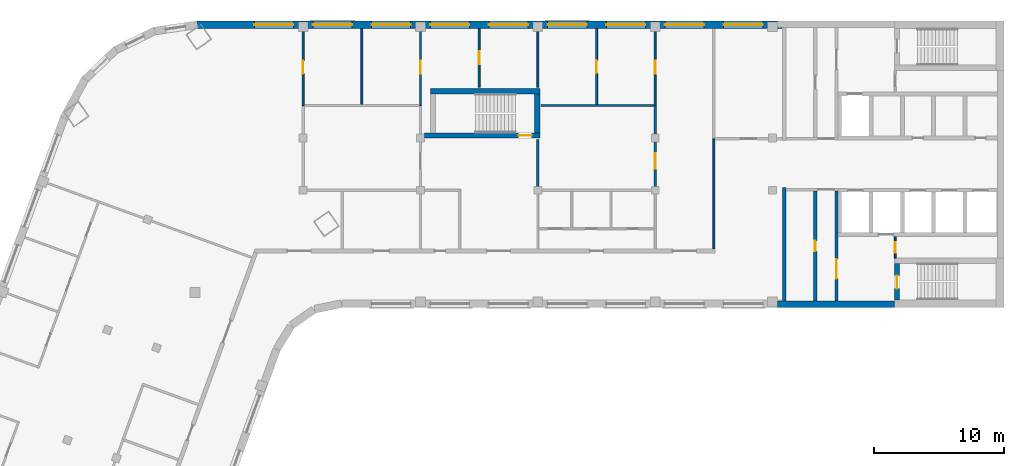
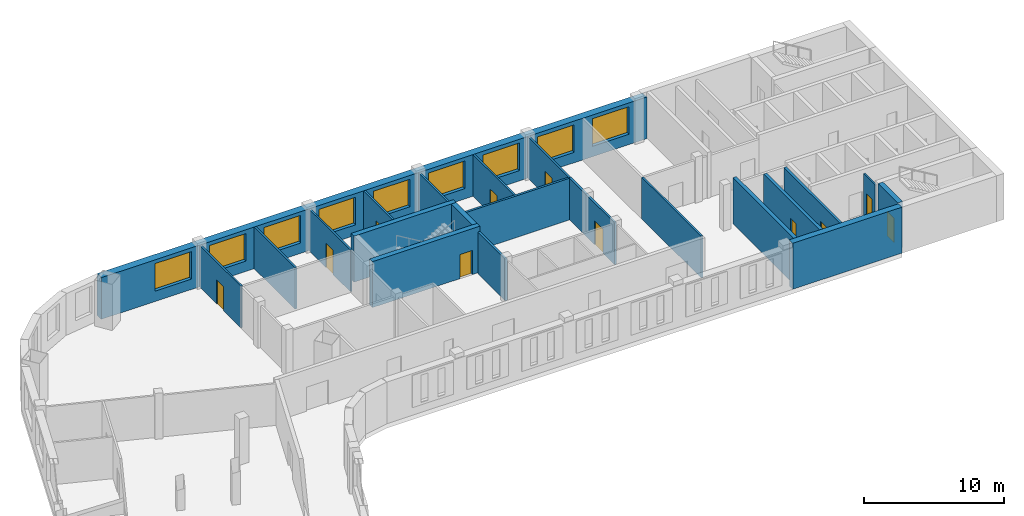
# One storey, part 5 of 8: 21 walls, 11 doors, 9 windows, 20 openings.
"""IFC4 building model written with IfcOpenShell, lengths in metres."""

from ifc_helpers import new_model, si_unit, direction, frame, frame_2d, origin, place, context, subcontext, project, spatial, rectangle, extrude, material, layer, layer_set, type_object, element, fill, save


model = new_model("IFC4")

# Units and contexts
model_context = context("Model", 3, precision=1e-05, world=origin(), true_north=direction((0.0, 1.0)))
body_context = subcontext(model_context, "Body", "Model", "MODEL_VIEW")
ifc_project = project(units=[si_unit("LENGTHUNIT", "METRE"), si_unit("AREAUNIT", "SQUARE_METRE"), si_unit("VOLUMEUNIT", "CUBIC_METRE"), si_unit("PLANEANGLEUNIT", "RADIAN"), si_unit("MASSUNIT", "GRAM", prefix="KILO")], contexts=[model_context])

# Site, building, storey
site_placement = place(None, origin())
site = spatial("IfcSite", under=ifc_project, at=site_placement, CompositionType="ELEMENT")
building_placement = place(site_placement, origin())
building = spatial("IfcBuilding", under=site, at=building_placement, Name="Skarvind Civic Tower", CompositionType="ELEMENT")
storey_placement = place(building_placement, frame((0.0, 0.0, 220.0)))
storey = spatial("IfcBuildingStorey", under=building, at=storey_placement, Name="L52", CompositionType="ELEMENT", Elevation=220.0)

# Wall
ifc_material_1 = material(Name="Acoustic gypsum board on steel studs", Category="steel")
ifc_layer_1 = layer(ifc_material_1, 0.175048828125)
ifc_layer_set_1 = layer_set([ifc_layer_1], Name="ACOUSTIC MEETING-ROOM PARTITION 175")
wall_type_1 = type_object("IfcWallType", Name="ACOUSTIC MEETING-ROOM PARTITION 175", PredefinedType="PARTITIONING", material=ifc_layer_set_1)
wall_1_placement = place(storey_placement, frame((72.25, 129.89990234375, 0.0), z_axis=(0.0, 0.0, 1.0), x_axis=(0.0, -1.0, 0.0)))
element("IfcWall", 1, at=wall_1_placement, inside=storey, type_object=wall_type_1, Name="Partition 52.034", PredefinedType="PARTITIONING", context=body_context, shape_type="SweptSolid", body=[
    extrude(rectangle(XDim=3.89990234375, YDim=0.175048828125, at=frame_2d((1.949951171875, 0.0))), origin(), (0.0, 0.0, 1.0), 3.625),
])

# Wall, opening, door
wall_2_placement = place(storey_placement, frame((81.25, 132.5, 0.0), z_axis=(0.0, 0.0, 1.0), x_axis=(0.0, -1.0, 0.0)))
wall_2 = element("IfcWall", 2, at=wall_2_placement, inside=storey, type_object=wall_type_1, Name="Partition 52.040", PredefinedType="PARTITIONING", context=body_context, shape_type="SweptSolid", body=[
    extrude(rectangle(XDim=6.5, YDim=0.175048828125, at=frame_2d((3.25, 0.0))), origin(), (0.0, 0.0, 1.0), 3.625),
])
opening_1_placement = place(wall_2_placement, frame((3.64990234375, 0.0, 0.0)))
opening_1 = element("IfcOpeningElement", 3, at=opening_1_placement, cuts=wall_2, Name="Opening L52-D025", PredefinedType="OPENING", context=body_context, shape_type="SweptSolid", body=[
    extrude(rectangle(XDim=1.199951171875, YDim=2.10009765625, at=frame_2d((0.60009765625, 1.050048828125))), frame((0.0, 0.097412109375, 0.0), z_axis=(0.0, -1.0, 0.0), x_axis=(1.0, 0.0, 0.0)), (0.0, 0.0, 1.0), 0.195068359375),
])
ifc_material_2 = material(Name="Timber door leaf", Category="wood")
door_type_1 = type_object("IfcDoorType", Name="DOOR 1200X2100 DOUBLE TIMBER", OperationType="NOTDEFINED", PredefinedType="DOOR", material=ifc_material_2)
door_1_placement = place(opening_1_placement, origin())
door_1 = element("IfcDoor", 4, at=door_1_placement, inside=storey, type_object=door_type_1, Name="Door L52-D025", OperationType="DOUBLE_DOOR_SINGLE_SWING", OverallHeight=2.10009765625, OverallWidth=1.199951171875, PredefinedType="DOOR", context=body_context, shape_type="SweptSolid", body=[
    extrude(rectangle(XDim=1.199951171875, YDim=2.10009765625, at=frame_2d((0.60009765625, 1.050048828125))), frame((0.0, 0.02490234375, 0.0), z_axis=(0.0, -1.0, 0.0), x_axis=(1.0, 0.0, 0.0)), (0.0, 0.0, 1.0), 0.050048828125),
])
fill(opening_1, door_1)

# Wall
wall_3_placement = place(storey_placement, frame((81.162109375, 132.5, 0.0), z_axis=(0.0, 0.0, 1.0), x_axis=(-1.0, 0.0, 0.0)))
element("IfcWall", 5, at=wall_3_placement, inside=storey, type_object=wall_type_1, Name="Partition 52.041", PredefinedType="PARTITIONING", context=body_context, shape_type="SweptSolid", body=[
    extrude(rectangle(XDim=8.662109375, YDim=0.175048828125, at=frame_2d((4.3310546875, 0.0))), origin(), (0.0, 0.0, 1.0), 3.625),
])

# Wall, opening, door
ifc_material_3 = material(Name="Fire-rated masonry partition", Category="masonry")
ifc_layer_2 = layer(ifc_material_3, 0.199951171875)
ifc_layer_set_2 = layer_set([ifc_layer_2], Name="Core enclosure wall 200")
wall_type_2 = type_object("IfcWallType", Name="Core enclosure wall 200", PredefinedType="PARTITIONING", material=ifc_layer_set_2)
wall_4_placement = place(storey_placement, frame((95.14990234375, 117.5, 0.0), z_axis=(0.0, 0.0, 1.0), x_axis=(0.0, 1.0, 0.0)))
wall_4 = element("IfcWall", 6, at=wall_4_placement, inside=storey, type_object=wall_type_2, Name="Core wall C1", PredefinedType="PARTITIONING", context=body_context, shape_type="SweptSolid", body=[
    extrude(rectangle(XDim=8.449951171875, YDim=0.199951171875, at=frame_2d((4.22509765625, 0.0))), origin(), (0.0, 0.0, 1.0), 3.625),
])
opening_2_placement = place(wall_4_placement, frame((1.72509765625, 0.0, 0.0)))
opening_2 = element("IfcOpeningElement", 7, at=opening_2_placement, cuts=wall_4, Name="Opening D-L52-C1-08", PredefinedType="OPENING", context=body_context, shape_type="SweptSolid", body=[
    extrude(rectangle(XDim=1.5, YDim=2.10009765625, at=frame_2d((0.75, 1.050048828125))), frame((0.0, 0.10986328125, 0.0), z_axis=(0.0, -1.0, 0.0), x_axis=(1.0, 0.0, 0.0)), (0.0, 0.0, 1.0), 0.219970703125),
])
ifc_material_4 = material(Name="Fire-rated steel door", Category="steel")
door_type_2 = type_object("IfcDoorType", Name="Fire door 1500", OperationType="NOTDEFINED", PredefinedType="DOOR", material=ifc_material_4)
door_2_placement = place(opening_2_placement, origin())
door_2 = element("IfcDoor", 8, at=door_2_placement, inside=storey, type_object=door_type_2, Name="Fire door", OperationType="DOUBLE_DOOR_SINGLE_SWING", OverallHeight=2.10009765625, OverallWidth=1.5, PredefinedType="DOOR", context=body_context, shape_type="SweptSolid", body=[
    extrude(rectangle(XDim=1.5, YDim=2.10009765625, at=frame_2d((0.75, 1.050048828125))), frame((0.0, 0.02490234375, 0.0), z_axis=(0.0, -1.0, 0.0), x_axis=(1.0, 0.0, 0.0)), (0.0, 0.0, 1.0), 0.050048828125),
])
fill(opening_2, door_2)

# Wall
ifc_material_5 = material(Name="Concrete C60", Category="concrete")
ifc_layer_3 = layer(ifc_material_5, 0.300048828125)
ifc_layer_set_3 = layer_set([ifc_layer_3], Name="Core wall 300 C60")
wall_type_3 = type_object("IfcWallType", Name="Core wall 300 C60", PredefinedType="SHEAR", material=ifc_layer_set_3)
wall_5_placement = place(storey_placement, frame((91.14990234375, 126.199951171875, 0.0), z_axis=(0.0, 0.0, 1.0), x_axis=(0.0, -1.0, 0.0)))
element("IfcWall", 9, at=wall_5_placement, inside=storey, type_object=wall_type_3, Name="Core wall C1 north inner face L52", PredefinedType="SHEAR", context=body_context, shape_type="SweptSolid", body=[
    extrude(rectangle(XDim=8.699951171875, YDim=0.300048828125, at=frame_2d((4.35009765625, 0.0))), origin(), (0.0, 0.0, 1.0), 4.0),
])

# Wall, opening, door
ifc_layer_4 = layer(ifc_material_5, 0.39990234375)
ifc_layer_set_4 = layer_set([ifc_layer_4], Name="Core wall 400 C60")
wall_type_4 = type_object("IfcWallType", Name="Core wall 400 C60", PredefinedType="SHEAR", material=ifc_layer_set_4)
wall_6_placement = place(storey_placement, frame((99.800048828125, 120.39990234375, 0.0), z_axis=(0.0, 0.0, 1.0), x_axis=(0.0, -1.0, 0.0)))
wall_6 = element("IfcWall", 10, at=wall_6_placement, inside=storey, type_object=wall_type_4, Name="Core wall C1 north stair end L52", PredefinedType="SHEAR", context=body_context, shape_type="SweptSolid", body=[
    extrude(rectangle(XDim=2.7998046875, YDim=0.39990234375, at=frame_2d((1.39990234375, 0.0))), origin(), (0.0, 0.0, 1.0), 4.0),
])
opening_3_placement = place(wall_6_placement, frame((0.949951171875, 0.0, 0.0)))
opening_3 = element("IfcOpeningElement", 11, at=opening_3_placement, cuts=wall_6, Name="Opening D-L52-C1-09", PredefinedType="OPENING", context=body_context, shape_type="SweptSolid", body=[
    extrude(rectangle(XDim=1.0, YDim=2.10009765625, at=frame_2d((0.5, 1.050048828125))), frame((0.0, 0.2099609375, 0.0), z_axis=(0.0, -1.0, 0.0), x_axis=(1.0, 0.0, 0.0)), (0.0, 0.0, 1.0), 0.419921875),
])
door_type_3 = type_object("IfcDoorType", Name="Fire door 1000", OperationType="NOTDEFINED", PredefinedType="DOOR", material=ifc_material_4)
door_3_placement = place(opening_3_placement, origin())
door_3 = element("IfcDoor", 12, at=door_3_placement, inside=storey, type_object=door_type_3, Name="Fire door", OperationType="SINGLE_SWING_LEFT", OverallHeight=2.10009765625, OverallWidth=1.0, PredefinedType="DOOR", context=body_context, shape_type="SweptSolid", body=[
    extrude(rectangle(XDim=1.0, YDim=2.10009765625, at=frame_2d((0.5, 1.050048828125))), frame((0.0, 0.02490234375, 0.0), z_axis=(0.0, -1.0, 0.0), x_axis=(1.0, 0.0, 0.0)), (0.0, 0.0, 1.0), 0.050048828125),
])
fill(opening_3, door_3)

wall_7_placement = place(storey_placement, frame((63.550048828125, 130.199951171875, 0.0), z_axis=(0.0, 0.0, 1.0), x_axis=(1.0, 0.0, 0.0)))
wall_7 = element("IfcWall", 13, at=wall_7_placement, inside=storey, type_object=wall_type_4, Name="Core wall CM inner L52", PredefinedType="SHEAR", context=body_context, shape_type="SweptSolid", body=[
    extrude(rectangle(XDim=8.849853515625, YDim=0.39990234375, at=frame_2d((4.4248046875, 0.0))), origin(), (0.0, 0.0, 1.0), 4.0),
])
opening_4_placement = place(wall_7_placement, frame((7.22509765625, 0.0, 0.0)))
opening_4 = element("IfcOpeningElement", 14, at=opening_4_placement, cuts=wall_7, Name="Opening D-L52-CM-01", PredefinedType="OPENING", context=body_context, shape_type="SweptSolid", body=[
    extrude(rectangle(XDim=1.0, YDim=2.10009765625, at=frame_2d((0.5, 1.050048828125))), frame((0.0, 0.2099609375, 0.0), z_axis=(0.0, -1.0, 0.0), x_axis=(1.0, 0.0, 0.0)), (0.0, 0.0, 1.0), 0.419921875),
])
door_4_placement = place(opening_4_placement, origin())
door_4 = element("IfcDoor", 15, at=door_4_placement, inside=storey, type_object=door_type_3, Name="Fire door", OperationType="SINGLE_SWING_LEFT", OverallHeight=2.10009765625, OverallWidth=1.0, PredefinedType="DOOR", context=body_context, shape_type="SweptSolid", body=[
    extrude(rectangle(XDim=1.0, YDim=2.10009765625, at=frame_2d((0.5, 1.050048828125))), frame((0.0, 0.02490234375, 0.0), z_axis=(0.0, -1.0, 0.0), x_axis=(1.0, 0.0, 0.0)), (0.0, 0.0, 1.0), 0.050048828125),
])
fill(opening_4, door_4)

# Walls
wall_8_placement = place(storey_placement, frame((64.0, 133.60009765625, 0.0), z_axis=(0.0, 0.0, 1.0), x_axis=(1.0, 0.0, 0.0)))
element("IfcWall", 16, at=wall_8_placement, inside=storey, type_object=wall_type_4, Name="Core wall CM outer L52", PredefinedType="SHEAR", context=body_context, shape_type="SweptSolid", body=[
    extrude(rectangle(XDim=8.39990234375, YDim=0.39990234375, at=frame_2d((4.199951171875, 0.0))), origin(), (0.0, 0.0, 1.0), 4.0),
])
wall_9_placement = place(storey_placement, frame((72.199951171875, 130.39990234375, 0.0), z_axis=(0.0, 0.0, 1.0), x_axis=(0.0, 1.0, 0.0)))
element("IfcWall", 17, at=wall_9_placement, inside=storey, type_object=wall_type_4, Name="Core wall CM end L52", PredefinedType="SHEAR", context=body_context, shape_type="SweptSolid", body=[
    extrude(rectangle(XDim=3.0, YDim=0.39990234375, at=frame_2d((1.5, 0.0))), origin(), (0.0, 0.0, 1.0), 4.0),
])
ifc_layer_5 = layer(ifc_material_5, 0.5)
ifc_layer_set_5 = layer_set([ifc_layer_5], Name="Core wall 500 C60")
wall_type_5 = type_object("IfcWallType", Name="Core wall 500 C60", PredefinedType="SHEAR", material=ifc_layer_set_5)
wall_10_placement = place(storey_placement, frame((99.60009765625, 117.25, 0.0), z_axis=(0.0, 0.0, 1.0), x_axis=(-1.0, 0.0, 0.0)))
element("IfcWall", 18, at=wall_10_placement, inside=storey, type_object=wall_type_5, Name="Core wall C1 north side L52", PredefinedType="SHEAR", context=body_context, shape_type="SweptSolid", body=[
    extrude(rectangle(XDim=8.97509765625, YDim=0.5, at=frame_2d((4.487548828125, 0.0))), origin(), (0.0, 0.0, 1.0), 4.0),
])

# Wall, opening, door
ifc_material_6 = material(Name="Plasterboard partition on steel studs", Category="steel")
ifc_layer_6 = layer(ifc_material_6, 0.14990234375)
ifc_layer_set_6 = layer_set([ifc_layer_6], Name="PARTITION 150")
wall_type_6 = type_object("IfcWallType", Name="PARTITION 150", PredefinedType="PARTITIONING", material=ifc_layer_set_6)
wall_11_placement = place(storey_placement, frame((54.25, 132.4970703125, 0.0), z_axis=(0.0, 0.0, 1.0), x_axis=(0.0, 1.0, 0.0)))
wall_11 = element("IfcWall", 19, at=wall_11_placement, inside=storey, type_object=wall_type_6, Name="Partition 52.021", PredefinedType="PARTITIONING", context=body_context, shape_type="SweptSolid", body=[
    extrude(rectangle(XDim=5.90185546875, YDim=0.14990234375, at=frame_2d((2.950927734375, 0.0))), origin(), (0.0, 0.0, 1.0), 3.625),
])
opening_5_placement = place(wall_11_placement, frame((2.452880859375, 0.0, 0.0)))
opening_5 = element("IfcOpeningElement", 20, at=opening_5_placement, cuts=wall_11, Name="Opening L52-D013", PredefinedType="OPENING", context=body_context, shape_type="SweptSolid", body=[
    extrude(rectangle(XDim=1.0, YDim=2.10009765625, at=frame_2d((0.5, 1.050048828125))), frame((0.0, 0.0849609375, 0.0), z_axis=(0.0, -1.0, 0.0), x_axis=(1.0, 0.0, 0.0)), (0.0, 0.0, 1.0), 0.169921875),
])
door_type_4 = type_object("IfcDoorType", Name="D1 1000x2100", OperationType="NOTDEFINED", PredefinedType="DOOR", material=ifc_material_2)
door_5_placement = place(opening_5_placement, origin())
door_5 = element("IfcDoor", 21, at=door_5_placement, inside=storey, type_object=door_type_4, Name="Door L52-D013", OperationType="SINGLE_SWING_LEFT", OverallHeight=2.10009765625, OverallWidth=1.0, PredefinedType="DOOR", context=body_context, shape_type="SweptSolid", body=[
    extrude(rectangle(XDim=1.0, YDim=2.10009765625, at=frame_2d((0.5, 1.050048828125))), frame((0.0, 0.02490234375, 0.0), z_axis=(0.0, -1.0, 0.0), x_axis=(1.0, 0.0, 0.0)), (0.0, 0.0, 1.0), 0.050048828125),
])
fill(opening_5, door_5)

# Wall
wall_12_placement = place(storey_placement, frame((58.75, 132.587890625, 0.0), z_axis=(0.0, 0.0, 1.0), x_axis=(0.0, 1.0, 0.0)))
element("IfcWall", 22, at=wall_12_placement, inside=storey, type_object=wall_type_6, Name="Partition 52.024", PredefinedType="PARTITIONING", context=body_context, shape_type="SweptSolid", body=[
    extrude(rectangle(XDim=5.81201171875, YDim=0.14990234375, at=frame_2d((2.906005859375, 0.0))), origin(), (0.0, 0.0, 1.0), 3.625),
])

# Wall, opening, door
wall_13_placement = place(storey_placement, frame((63.25, 138.39990234375, 0.0), z_axis=(0.0, 0.0, 1.0), x_axis=(0.0, -1.0, 0.0)))
wall_13 = element("IfcWall", 23, at=wall_13_placement, inside=storey, type_object=wall_type_6, Name="Partition 52.027", PredefinedType="PARTITIONING", context=body_context, shape_type="SweptSolid", body=[
    extrude(rectangle(XDim=5.89990234375, YDim=0.14990234375, at=frame_2d((2.949951171875, 0.0))), origin(), (0.0, 0.0, 1.0), 3.625),
])
opening_6_placement = place(wall_13_placement, frame((2.449951171875, 0.0, 0.0)))
opening_6 = element("IfcOpeningElement", 24, at=opening_6_placement, cuts=wall_13, Name="Opening L52-D012", PredefinedType="OPENING", context=body_context, shape_type="SweptSolid", body=[
    extrude(rectangle(XDim=1.0, YDim=2.10009765625, at=frame_2d((0.5, 1.050048828125))), frame((0.0, 0.0849609375, 0.0), z_axis=(0.0, -1.0, 0.0), x_axis=(1.0, 0.0, 0.0)), (0.0, 0.0, 1.0), 0.169921875),
])
door_6_placement = place(opening_6_placement, origin())
door_6 = element("IfcDoor", 25, at=door_6_placement, inside=storey, type_object=door_type_4, Name="Door L52-D012", OperationType="SINGLE_SWING_LEFT", OverallHeight=2.10009765625, OverallWidth=1.0, PredefinedType="DOOR", context=body_context, shape_type="SweptSolid", body=[
    extrude(rectangle(XDim=1.0, YDim=2.10009765625, at=frame_2d((0.5, 1.050048828125))), frame((0.0, 0.02490234375, 0.0), z_axis=(0.0, -1.0, 0.0), x_axis=(1.0, 0.0, 0.0)), (0.0, 0.0, 1.0), 0.050048828125),
])
fill(opening_6, door_6)

wall_14_placement = place(storey_placement, frame((67.75, 133.89990234375, 0.0), z_axis=(0.0, 0.0, 1.0), x_axis=(0.0, 1.0, 0.0)))
wall_14 = element("IfcWall", 26, at=wall_14_placement, inside=storey, type_object=wall_type_6, Name="Partition 52.030", PredefinedType="PARTITIONING", context=body_context, shape_type="SweptSolid", body=[
    extrude(rectangle(XDim=4.5, YDim=0.14990234375, at=frame_2d((2.25, 0.0))), origin(), (0.0, 0.0, 1.0), 3.625),
])
opening_7_placement = place(wall_14_placement, frame((1.75, 0.0, 0.0)))
opening_7 = element("IfcOpeningElement", 27, at=opening_7_placement, cuts=wall_14, Name="Opening L52-D011", PredefinedType="OPENING", context=body_context, shape_type="SweptSolid", body=[
    extrude(rectangle(XDim=1.0, YDim=2.10009765625, at=frame_2d((0.5, 1.050048828125))), frame((0.0, 0.0849609375, 0.0), z_axis=(0.0, -1.0, 0.0), x_axis=(1.0, 0.0, 0.0)), (0.0, 0.0, 1.0), 0.169921875),
])
door_7_placement = place(opening_7_placement, origin())
door_7 = element("IfcDoor", 28, at=door_7_placement, inside=storey, type_object=door_type_4, Name="Door L52-D011", OperationType="SINGLE_SWING_LEFT", OverallHeight=2.10009765625, OverallWidth=1.0, PredefinedType="DOOR", context=body_context, shape_type="SweptSolid", body=[
    extrude(rectangle(XDim=1.0, YDim=2.10009765625, at=frame_2d((0.5, 1.050048828125))), frame((0.0, 0.02490234375, 0.0), z_axis=(0.0, -1.0, 0.0), x_axis=(1.0, 0.0, 0.0)), (0.0, 0.0, 1.0), 0.050048828125),
])
fill(opening_7, door_7)

# Wall
wall_15_placement = place(storey_placement, frame((72.25, 133.89990234375, 0.0), z_axis=(0.0, 0.0, 1.0), x_axis=(0.0, 1.0, 0.0)))
element("IfcWall", 29, at=wall_15_placement, inside=storey, type_object=wall_type_6, Name="Partition 52.035", PredefinedType="PARTITIONING", context=body_context, shape_type="SweptSolid", body=[
    extrude(rectangle(XDim=4.5, YDim=0.14990234375, at=frame_2d((2.25, 0.0))), origin(), (0.0, 0.0, 1.0), 3.625),
])

# Wall, opening, door
wall_16_placement = place(storey_placement, frame((76.75, 138.39990234375, 0.0), z_axis=(0.0, 0.0, 1.0), x_axis=(0.0, -1.0, 0.0)))
wall_16 = element("IfcWall", 30, at=wall_16_placement, inside=storey, type_object=wall_type_6, Name="Partition 52.037", PredefinedType="PARTITIONING", context=body_context, shape_type="SweptSolid", body=[
    extrude(rectangle(XDim=5.81201171875, YDim=0.14990234375, at=frame_2d((2.906005859375, 0.0))), origin(), (0.0, 0.0, 1.0), 3.625),
])
opening_8_placement = place(wall_16_placement, frame((2.416015625, 0.0, 0.0)))
opening_8 = element("IfcOpeningElement", 31, at=opening_8_placement, cuts=wall_16, Name="Opening L52-D007", PredefinedType="OPENING", context=body_context, shape_type="SweptSolid", body=[
    extrude(rectangle(XDim=1.0, YDim=2.10009765625, at=frame_2d((0.5, 1.050048828125))), frame((0.0, 0.0849609375, 0.0), z_axis=(0.0, -1.0, 0.0), x_axis=(1.0, 0.0, 0.0)), (0.0, 0.0, 1.0), 0.169921875),
])
door_8_placement = place(opening_8_placement, origin())
door_8 = element("IfcDoor", 32, at=door_8_placement, inside=storey, type_object=door_type_4, Name="Door L52-D007", OperationType="SINGLE_SWING_LEFT", OverallHeight=2.10009765625, OverallWidth=1.0, PredefinedType="DOOR", context=body_context, shape_type="SweptSolid", body=[
    extrude(rectangle(XDim=1.0, YDim=2.10009765625, at=frame_2d((0.5, 1.050048828125))), frame((0.0, 0.02490234375, 0.0), z_axis=(0.0, -1.0, 0.0), x_axis=(1.0, 0.0, 0.0)), (0.0, 0.0, 1.0), 0.050048828125),
])
fill(opening_8, door_8)

wall_17_placement = place(storey_placement, frame((81.25, 138.39990234375, 0.0), z_axis=(0.0, 0.0, 1.0), x_axis=(0.0, -1.0, 0.0)))
wall_17 = element("IfcWall", 33, at=wall_17_placement, inside=storey, type_object=wall_type_6, Name="Partition 52.042", PredefinedType="PARTITIONING", context=body_context, shape_type="SweptSolid", body=[
    extrude(rectangle(XDim=5.89990234375, YDim=0.14990234375, at=frame_2d((2.949951171875, 0.0))), origin(), (0.0, 0.0, 1.0), 3.625),
])
opening_9_placement = place(wall_17_placement, frame((2.449951171875, 0.0, 0.0)))
opening_9 = element("IfcOpeningElement", 34, at=opening_9_placement, cuts=wall_17, Name="Opening L52-D006", PredefinedType="OPENING", context=body_context, shape_type="SweptSolid", body=[
    extrude(rectangle(XDim=1.0, YDim=2.10009765625, at=frame_2d((0.5, 1.050048828125))), frame((0.0, 0.0849609375, 0.0), z_axis=(0.0, -1.0, 0.0), x_axis=(1.0, 0.0, 0.0)), (0.0, 0.0, 1.0), 0.169921875),
])
door_9_placement = place(opening_9_placement, origin())
door_9 = element("IfcDoor", 35, at=door_9_placement, inside=storey, type_object=door_type_4, Name="Door L52-D006", OperationType="SINGLE_SWING_LEFT", OverallHeight=2.10009765625, OverallWidth=1.0, PredefinedType="DOOR", context=body_context, shape_type="SweptSolid", body=[
    extrude(rectangle(XDim=1.0, YDim=2.10009765625, at=frame_2d((0.5, 1.050048828125))), frame((0.0, 0.02490234375, 0.0), z_axis=(0.0, -1.0, 0.0), x_axis=(1.0, 0.0, 0.0)), (0.0, 0.0, 1.0), 0.050048828125),
])
fill(opening_9, door_9)

# Wall
wall_18_placement = place(storey_placement, frame((85.75, 121.5, 0.0), z_axis=(0.0, 0.0, 1.0), x_axis=(0.0, 1.0, 0.0)))
element("IfcWall", 36, at=wall_18_placement, inside=storey, type_object=wall_type_6, Name="Partition 52.043", PredefinedType="PARTITIONING", context=body_context, shape_type="SweptSolid", body=[
    extrude(rectangle(XDim=8.449951171875, YDim=0.14990234375, at=frame_2d((4.22509765625, 0.0))), origin(), (0.0, 0.0, 1.0), 3.625),
])

# Wall, opening, door
ifc_layer_7 = layer(ifc_material_3, 0.125)
ifc_layer_set_7 = layer_set([ifc_layer_7], Name="Riser wall 125")
wall_type_7 = type_object("IfcWallType", Name="Riser wall 125", PredefinedType="PARTITIONING", material=ifc_layer_set_7)
wall_19_placement = place(storey_placement, frame((99.66259765625, 120.800048828125, 0.0), z_axis=(0.0, 0.0, 1.0), x_axis=(0.0, 1.0, 0.0)))
wall_19 = element("IfcWall", 37, at=wall_19_placement, inside=storey, type_object=wall_type_7, Name="Core wall C1", PredefinedType="PARTITIONING", context=body_context, shape_type="SweptSolid", body=[
    extrude(rectangle(XDim=1.64990234375, YDim=0.125, at=frame_2d((0.824951171875, 0.0))), origin(), (0.0, 0.0, 1.0), 3.625),
])
opening_10_placement = place(wall_19_placement, frame((0.425048828125, 0.0, 0.0)))
opening_10 = element("IfcOpeningElement", 38, at=opening_10_placement, cuts=wall_19, Name="Opening D-L52-C1-10", PredefinedType="OPENING", context=body_context, shape_type="SweptSolid", body=[
    extrude(rectangle(XDim=0.800048828125, YDim=2.10009765625, at=frame_2d((0.39990234375, 1.050048828125))), frame((0.0, 0.072509765625, 0.0), z_axis=(0.0, -1.0, 0.0), x_axis=(1.0, 0.0, 0.0)), (0.0, 0.0, 1.0), 0.14501953125),
])
door_type_5 = type_object("IfcDoorType", Name="Core riser door 800", OperationType="NOTDEFINED", PredefinedType="DOOR", material=ifc_material_4)
door_10_placement = place(opening_10_placement, origin())
door_10 = element("IfcDoor", 39, at=door_10_placement, inside=storey, type_object=door_type_5, Name="Riser door", OperationType="SINGLE_SWING_RIGHT", OverallHeight=2.10009765625, OverallWidth=0.800048828125, PredefinedType="DOOR", context=body_context, shape_type="SweptSolid", body=[
    extrude(rectangle(XDim=0.800048828125, YDim=2.10009765625, at=frame_2d((0.39990234375, 1.050048828125))), frame((0.0, 0.02490234375, 0.0), z_axis=(0.0, -1.0, 0.0), x_axis=(1.0, 0.0, 0.0)), (0.0, 0.0, 1.0), 0.050048828125),
])
fill(opening_10, door_10)

ifc_layer_8 = layer(ifc_material_3, 0.25)
ifc_layer_set_8 = layer_set([ifc_layer_8], Name="Service block wall 250")
wall_type_8 = type_object("IfcWallType", Name="Service block wall 250", PredefinedType="PARTITIONING", material=ifc_layer_set_8)
wall_20_placement = place(storey_placement, frame((93.52490234375, 117.5, 0.0), z_axis=(0.0, 0.0, 1.0), x_axis=(0.0, 1.0, 0.0)))
wall_20 = element("IfcWall", 40, at=wall_20_placement, inside=storey, type_object=wall_type_8, Name="Core wall C1", PredefinedType="PARTITIONING", context=body_context, shape_type="SweptSolid", body=[
    extrude(rectangle(XDim=8.449951171875, YDim=0.25, at=frame_2d((4.22509765625, 0.0))), origin(), (0.0, 0.0, 1.0), 3.625),
])
opening_11_placement = place(wall_20_placement, frame((3.824951171875, 0.0, 0.0)))
opening_11 = element("IfcOpeningElement", 41, at=opening_11_placement, cuts=wall_20, Name="Opening D-L52-C1-11", PredefinedType="OPENING", context=body_context, shape_type="SweptSolid", body=[
    extrude(rectangle(XDim=0.800048828125, YDim=2.10009765625, at=frame_2d((0.39990234375, 1.050048828125))), frame((0.0, 0.135009765625, 0.0), z_axis=(0.0, -1.0, 0.0), x_axis=(1.0, 0.0, 0.0)), (0.0, 0.0, 1.0), 0.27001953125),
])
door_11_placement = place(opening_11_placement, origin())
door_11 = element("IfcDoor", 42, at=door_11_placement, inside=storey, type_object=door_type_5, Name="Riser door", OperationType="SINGLE_SWING_LEFT", OverallHeight=2.10009765625, OverallWidth=0.800048828125, PredefinedType="DOOR", context=body_context, shape_type="SweptSolid", body=[
    extrude(rectangle(XDim=0.800048828125, YDim=2.10009765625, at=frame_2d((0.39990234375, 1.050048828125))), frame((0.0, 0.02490234375, 0.0), z_axis=(0.0, -1.0, 0.0), x_axis=(1.0, 0.0, 0.0)), (0.0, 0.0, 1.0), 0.050048828125),
])
fill(opening_11, door_11)

# Wall, openings, windows
ifc_material_7 = material(Name="Limestone masonry cladding on insulated backing", Category="masonry")
ifc_layer_9 = layer(ifc_material_7, 0.60009765625)
ifc_layer_set_9 = layer_set([ifc_layer_9], Name="WX1 STONE FACADE WALL 600")
wall_type_9 = type_object("IfcWallType", Name="WX1 STONE FACADE WALL 600", PredefinedType="SOLIDWALL", material=ifc_layer_set_9)
wall_21_placement = place(storey_placement, frame((46.095458984375, 138.699951171875, 0.0), z_axis=(0.0, 0.0, 1.0), x_axis=(1.0, 0.0, 0.0)))
wall_21 = element("IfcWall", 43, at=wall_21_placement, inside=storey, type_object=wall_type_9, Name="STONE FACADE WALL", PredefinedType="SOLIDWALL", context=body_context, shape_type="SweptSolid", body=[
    extrude(rectangle(XDim=44.884521484375, YDim=0.60009765625, at=frame_2d((22.4423828125, 0.0))), origin(), (0.0, 0.0, 1.0), 3.625),
])
opening_12_placement = place(wall_21_placement, frame((4.404541015625, 0.0, 0.89990234375)))
opening_12 = element("IfcOpeningElement", 44, at=opening_12_placement, cuts=wall_21, Name="Opening WN1", PredefinedType="OPENING", context=body_context, shape_type="SweptSolid", body=[
    extrude(rectangle(XDim=3.0, YDim=2.39990234375, at=frame_2d((1.5, 1.199951171875))), frame((0.0, 0.31005859375, 0.0), z_axis=(0.0, -1.0, 0.0), x_axis=(1.0, 0.0, 0.0)), (0.0, 0.0, 1.0), 0.6201171875),
])
opening_13_placement = place(wall_21_placement, frame((8.904541015625, 0.0, 0.89990234375)))
opening_13 = element("IfcOpeningElement", 45, at=opening_13_placement, cuts=wall_21, Name="Opening WN1", PredefinedType="OPENING", context=body_context, shape_type="SweptSolid", body=[
    extrude(rectangle(XDim=3.0, YDim=2.39990234375, at=frame_2d((1.5, 1.199951171875))), frame((0.0, 0.31005859375, 0.0), z_axis=(0.0, -1.0, 0.0), x_axis=(1.0, 0.0, 0.0)), (0.0, 0.0, 1.0), 0.6201171875),
])
opening_14_placement = place(wall_21_placement, frame((13.404541015625, 0.0, 0.89990234375)))
opening_14 = element("IfcOpeningElement", 46, at=opening_14_placement, cuts=wall_21, Name="Opening WN1", PredefinedType="OPENING", context=body_context, shape_type="SweptSolid", body=[
    extrude(rectangle(XDim=3.0, YDim=2.39990234375, at=frame_2d((1.5, 1.199951171875))), frame((0.0, 0.31005859375, 0.0), z_axis=(0.0, -1.0, 0.0), x_axis=(1.0, 0.0, 0.0)), (0.0, 0.0, 1.0), 0.6201171875),
])
opening_15_placement = place(wall_21_placement, frame((17.904541015625, 0.0, 0.89990234375)))
opening_15 = element("IfcOpeningElement", 47, at=opening_15_placement, cuts=wall_21, Name="Opening WN1", PredefinedType="OPENING", context=body_context, shape_type="SweptSolid", body=[
    extrude(rectangle(XDim=3.0, YDim=2.39990234375, at=frame_2d((1.5, 1.199951171875))), frame((0.0, 0.31005859375, 0.0), z_axis=(0.0, -1.0, 0.0), x_axis=(1.0, 0.0, 0.0)), (0.0, 0.0, 1.0), 0.6201171875),
])
opening_16_placement = place(wall_21_placement, frame((22.404541015625, 0.0, 0.89990234375)))
opening_16 = element("IfcOpeningElement", 48, at=opening_16_placement, cuts=wall_21, Name="Opening WN1", PredefinedType="OPENING", context=body_context, shape_type="SweptSolid", body=[
    extrude(rectangle(XDim=3.0, YDim=2.39990234375, at=frame_2d((1.5, 1.199951171875))), frame((0.0, 0.31005859375, 0.0), z_axis=(0.0, -1.0, 0.0), x_axis=(1.0, 0.0, 0.0)), (0.0, 0.0, 1.0), 0.6201171875),
])
opening_17_placement = place(wall_21_placement, frame((26.904541015625, 0.0, 0.89990234375)))
opening_17 = element("IfcOpeningElement", 49, at=opening_17_placement, cuts=wall_21, Name="Opening WN1", PredefinedType="OPENING", context=body_context, shape_type="SweptSolid", body=[
    extrude(rectangle(XDim=3.0, YDim=2.39990234375, at=frame_2d((1.5, 1.199951171875))), frame((0.0, 0.31005859375, 0.0), z_axis=(0.0, -1.0, 0.0), x_axis=(1.0, 0.0, 0.0)), (0.0, 0.0, 1.0), 0.6201171875),
])
opening_18_placement = place(wall_21_placement, frame((31.404541015625, 0.0, 0.89990234375)))
opening_18 = element("IfcOpeningElement", 50, at=opening_18_placement, cuts=wall_21, Name="Opening WN1", PredefinedType="OPENING", context=body_context, shape_type="SweptSolid", body=[
    extrude(rectangle(XDim=3.0, YDim=2.39990234375, at=frame_2d((1.5, 1.199951171875))), frame((0.0, 0.31005859375, 0.0), z_axis=(0.0, -1.0, 0.0), x_axis=(1.0, 0.0, 0.0)), (0.0, 0.0, 1.0), 0.6201171875),
])
opening_19_placement = place(wall_21_placement, frame((35.904541015625, 0.0, 0.89990234375)))
opening_19 = element("IfcOpeningElement", 51, at=opening_19_placement, cuts=wall_21, Name="Opening WN1", PredefinedType="OPENING", context=body_context, shape_type="SweptSolid", body=[
    extrude(rectangle(XDim=3.0, YDim=2.39990234375, at=frame_2d((1.5, 1.199951171875))), frame((0.0, 0.31005859375, 0.0), z_axis=(0.0, -1.0, 0.0), x_axis=(1.0, 0.0, 0.0)), (0.0, 0.0, 1.0), 0.6201171875),
])
opening_20_placement = place(wall_21_placement, frame((40.404541015625, 0.0, 0.89990234375)))
opening_20 = element("IfcOpeningElement", 52, at=opening_20_placement, cuts=wall_21, Name="Opening WN1", PredefinedType="OPENING", context=body_context, shape_type="SweptSolid", body=[
    extrude(rectangle(XDim=3.0, YDim=2.39990234375, at=frame_2d((1.5, 1.199951171875))), frame((0.0, 0.31005859375, 0.0), z_axis=(0.0, -1.0, 0.0), x_axis=(1.0, 0.0, 0.0)), (0.0, 0.0, 1.0), 0.6201171875),
])
ifc_material_8 = material(Name="Timber frame, double glazing, timber-lined reveal", Category="wood")
window_type = type_object("IfcWindowType", Name="WN1 PUNCHED STONE WINDOW 3000 x 2400", PartitioningType="SINGLE_PANEL", PredefinedType="WINDOW", material=ifc_material_8)
window_1_placement = place(opening_12_placement, origin())
window_1 = element("IfcWindow", 53, at=window_1_placement, inside=storey, type_object=window_type, Name="WN1 WINDOW", OverallHeight=2.39990234375, OverallWidth=3.0, PartitioningType="SINGLE_PANEL", PredefinedType="WINDOW", context=body_context, shape_type="SweptSolid", body=[
    extrude(rectangle(XDim=3.0, YDim=2.39990234375, at=frame_2d((1.5, 1.199951171875))), frame((0.0, 0.030029296875, 0.0), z_axis=(0.0, -1.0, 0.0), x_axis=(1.0, 0.0, 0.0)), (0.0, 0.0, 1.0), 0.06005859375),
])
fill(opening_12, window_1)
window_2_placement = place(opening_13_placement, origin())
window_2 = element("IfcWindow", 54, at=window_2_placement, inside=storey, type_object=window_type, Name="WN1 WINDOW", OverallHeight=2.39990234375, OverallWidth=3.0, PartitioningType="SINGLE_PANEL", PredefinedType="WINDOW", context=body_context, shape_type="SweptSolid", body=[
    extrude(rectangle(XDim=3.0, YDim=2.39990234375, at=frame_2d((1.5, 1.199951171875))), frame((0.0, 0.030029296875, 0.0), z_axis=(0.0, -1.0, 0.0), x_axis=(1.0, 0.0, 0.0)), (0.0, 0.0, 1.0), 0.06005859375),
])
fill(opening_13, window_2)
window_3_placement = place(opening_14_placement, origin())
window_3 = element("IfcWindow", 55, at=window_3_placement, inside=storey, type_object=window_type, Name="WN1 WINDOW", OverallHeight=2.39990234375, OverallWidth=3.0, PartitioningType="SINGLE_PANEL", PredefinedType="WINDOW", context=body_context, shape_type="SweptSolid", body=[
    extrude(rectangle(XDim=3.0, YDim=2.39990234375, at=frame_2d((1.5, 1.199951171875))), frame((0.0, 0.030029296875, 0.0), z_axis=(0.0, -1.0, 0.0), x_axis=(1.0, 0.0, 0.0)), (0.0, 0.0, 1.0), 0.06005859375),
])
fill(opening_14, window_3)
window_4_placement = place(opening_15_placement, origin())
window_4 = element("IfcWindow", 56, at=window_4_placement, inside=storey, type_object=window_type, Name="WN1 WINDOW", OverallHeight=2.39990234375, OverallWidth=3.0, PartitioningType="SINGLE_PANEL", PredefinedType="WINDOW", context=body_context, shape_type="SweptSolid", body=[
    extrude(rectangle(XDim=3.0, YDim=2.39990234375, at=frame_2d((1.5, 1.199951171875))), frame((0.0, 0.030029296875, 0.0), z_axis=(0.0, -1.0, 0.0), x_axis=(1.0, 0.0, 0.0)), (0.0, 0.0, 1.0), 0.06005859375),
])
fill(opening_15, window_4)
window_5_placement = place(opening_16_placement, origin())
window_5 = element("IfcWindow", 57, at=window_5_placement, inside=storey, type_object=window_type, Name="WN1 WINDOW", OverallHeight=2.39990234375, OverallWidth=3.0, PartitioningType="SINGLE_PANEL", PredefinedType="WINDOW", context=body_context, shape_type="SweptSolid", body=[
    extrude(rectangle(XDim=3.0, YDim=2.39990234375, at=frame_2d((1.5, 1.199951171875))), frame((0.0, 0.030029296875, 0.0), z_axis=(0.0, -1.0, 0.0), x_axis=(1.0, 0.0, 0.0)), (0.0, 0.0, 1.0), 0.06005859375),
])
fill(opening_16, window_5)
window_6_placement = place(opening_17_placement, origin())
window_6 = element("IfcWindow", 58, at=window_6_placement, inside=storey, type_object=window_type, Name="WN1 WINDOW", OverallHeight=2.39990234375, OverallWidth=3.0, PartitioningType="SINGLE_PANEL", PredefinedType="WINDOW", context=body_context, shape_type="SweptSolid", body=[
    extrude(rectangle(XDim=3.0, YDim=2.39990234375, at=frame_2d((1.5, 1.199951171875))), frame((0.0, 0.030029296875, 0.0), z_axis=(0.0, -1.0, 0.0), x_axis=(1.0, 0.0, 0.0)), (0.0, 0.0, 1.0), 0.06005859375),
])
fill(opening_17, window_6)
window_7_placement = place(opening_18_placement, origin())
window_7 = element("IfcWindow", 59, at=window_7_placement, inside=storey, type_object=window_type, Name="WN1 WINDOW", OverallHeight=2.39990234375, OverallWidth=3.0, PartitioningType="SINGLE_PANEL", PredefinedType="WINDOW", context=body_context, shape_type="SweptSolid", body=[
    extrude(rectangle(XDim=3.0, YDim=2.39990234375, at=frame_2d((1.5, 1.199951171875))), frame((0.0, 0.030029296875, 0.0), z_axis=(0.0, -1.0, 0.0), x_axis=(1.0, 0.0, 0.0)), (0.0, 0.0, 1.0), 0.06005859375),
])
fill(opening_18, window_7)
window_8_placement = place(opening_19_placement, origin())
window_8 = element("IfcWindow", 60, at=window_8_placement, inside=storey, type_object=window_type, Name="WN1 WINDOW", OverallHeight=2.39990234375, OverallWidth=3.0, PartitioningType="SINGLE_PANEL", PredefinedType="WINDOW", context=body_context, shape_type="SweptSolid", body=[
    extrude(rectangle(XDim=3.0, YDim=2.39990234375, at=frame_2d((1.5, 1.199951171875))), frame((0.0, 0.030029296875, 0.0), z_axis=(0.0, -1.0, 0.0), x_axis=(1.0, 0.0, 0.0)), (0.0, 0.0, 1.0), 0.06005859375),
])
fill(opening_19, window_8)
window_9_placement = place(opening_20_placement, origin())
window_9 = element("IfcWindow", 61, at=window_9_placement, inside=storey, type_object=window_type, Name="WN1 WINDOW", OverallHeight=2.39990234375, OverallWidth=3.0, PartitioningType="SINGLE_PANEL", PredefinedType="WINDOW", context=body_context, shape_type="SweptSolid", body=[
    extrude(rectangle(XDim=3.0, YDim=2.39990234375, at=frame_2d((1.5, 1.199951171875))), frame((0.0, 0.030029296875, 0.0), z_axis=(0.0, -1.0, 0.0), x_axis=(1.0, 0.0, 0.0)), (0.0, 0.0, 1.0), 0.06005859375),
])
fill(opening_20, window_9)

save(model, "model.ifc")
